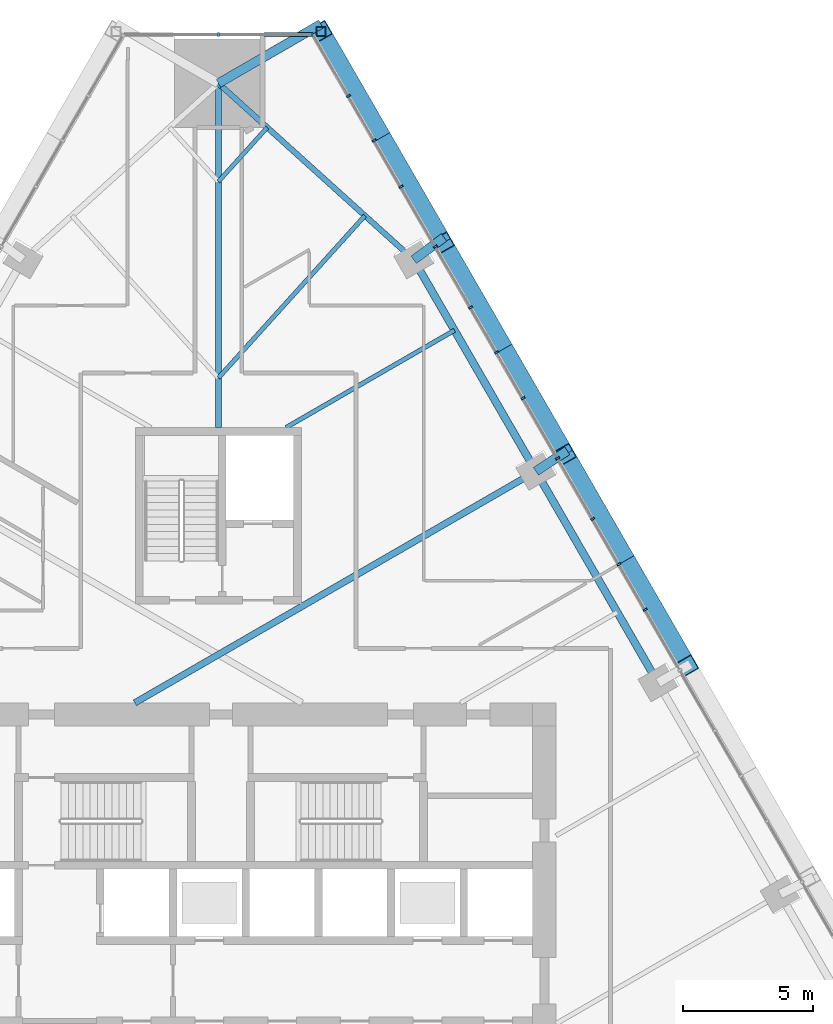
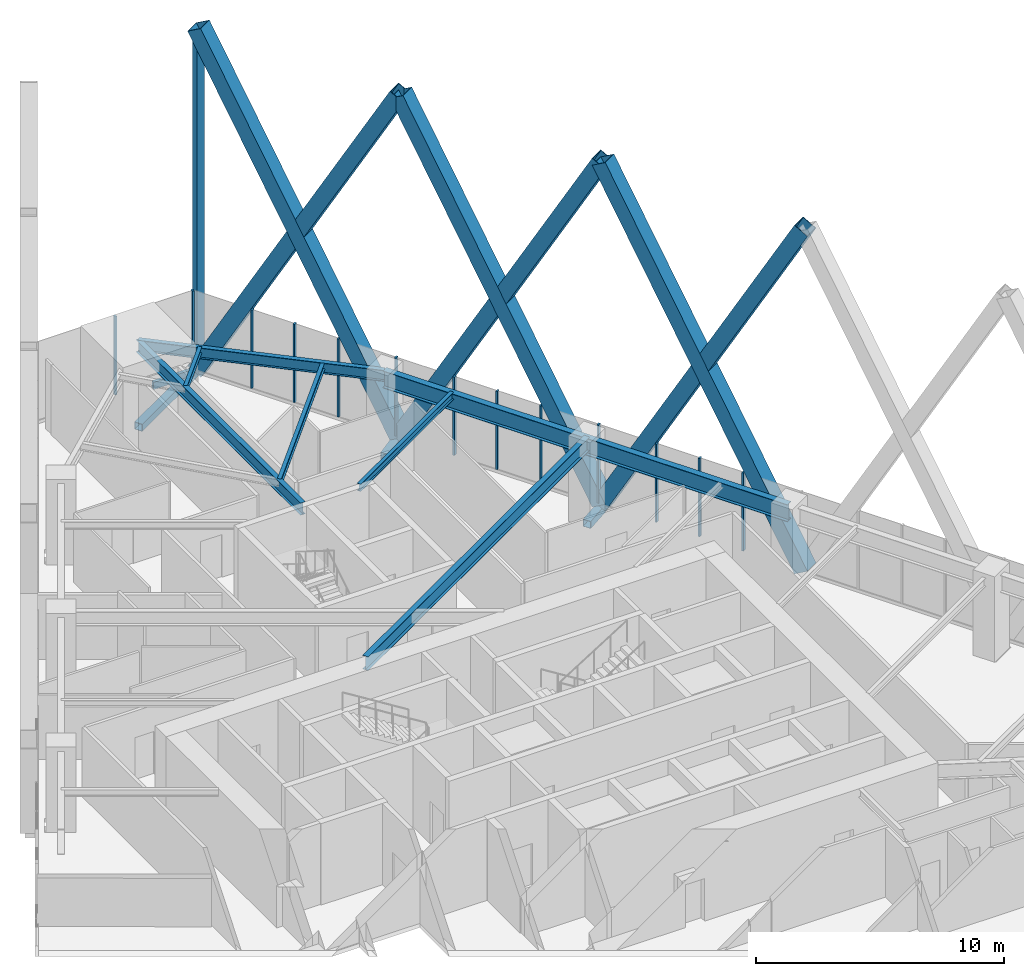
# One storey, part 11 of 21: 24 members, 7 beams, 2 elements without a shape of their own.
"""IFC4 building model written with IfcOpenShell, lengths in metres."""

from ifc_helpers import new_model, si_unit, direction, frame, origin, origin_2d, place, context, subcontext, project, spatial, rectangle, hollow_rectangle, i_section, extrude, material, layer, layer_set, material_profile, profile_set, type_object, element, aggregate, save


model = new_model("IFC4")

# Units and contexts
model_context = context("Model", 3, precision=1e-05, world=origin(), true_north=direction((0.0, 1.0)))
body_context = subcontext(model_context, "Body", "Model", "MODEL_VIEW")
ifc_project = project(units=[si_unit("LENGTHUNIT", "METRE"), si_unit("AREAUNIT", "SQUARE_METRE"), si_unit("VOLUMEUNIT", "CUBIC_METRE"), si_unit("PLANEANGLEUNIT", "RADIAN"), si_unit("MASSUNIT", "GRAM", prefix="KILO")], contexts=[model_context])

# Site, building, storey
site_placement = place(None, origin())
site = spatial("IfcSite", under=ifc_project, at=site_placement, CompositionType="ELEMENT")
building_placement = place(site_placement, origin())
building = spatial("IfcBuilding", under=site, at=building_placement, Name="Firuza Gate Tower and Library", CompositionType="ELEMENT")
storey_placement = place(building_placement, frame((0.0, 0.0, 90.39990234375)))
storey = spatial("IfcBuildingStorey", under=building, at=storey_placement, Name="L20", CompositionType="ELEMENT", Elevation=90.39990234375)

# Members
ifc_material_1 = material(Name="Steel S355", Category="steel")
ifc_material_profile_1 = material_profile(ifc_material_1, hollow_rectangle(XDim=0.699951171875, YDim=0.699951171875, WallThickness=0.030029296875, at=origin_2d()))
ifc_profile_set_1 = profile_set([ifc_material_profile_1], Name="Steel S355")
member_type_1 = type_object("IfcMemberType", Name="BU700x700x30 Lattice brace", PredefinedType="BRACE", material=ifc_profile_set_1)
for number, where, z_axis, x_axis, name in (
    (1, (93.051513671875, 85.422119140625, 0.0), (-0.24420840192, 0.422983459052, 0.872609448608), (-0.866026478318, -0.499998138849, 0.0), "Lattice brace E 4.4R"),
    (2, (88.349853515625, 93.565673828125, 0.0), (0.24420840192, -0.422983459052, 0.872609448608), (0.866026478318, 0.499998138849, 0.0), "Lattice brace E 4.4L"),
    (3, (88.349853515625, 93.565673828125, 0.0), (-0.24420840192, 0.422983459052, 0.872609448608), (-0.866026478318, -0.499998138849, 0.0), "Lattice brace E 4.5R"),
    (4, (83.648193359375, 101.709228515625, 0.0), (0.24420840192, -0.422983459052, 0.872609448608), (0.866026478318, 0.499998138849, 0.0), "Lattice brace E 4.5L"),
    (5, (83.648193359375, 101.709228515625, 0.0), (-0.244220326486, 0.422982149139, 0.872606746273), (-0.866015235904, -0.500017610873, 0.0), "Lattice brace E 4.6R"),
    (6, (78.9462890625, 109.852783203125, 0.0), (0.244220326486, -0.422982149139, 0.872606746273), (0.866015235904, 0.500017610873, 0.0), "Lattice brace E 4.6L"),
):
    element("IfcMember", number, at=place(storey_placement, frame(where, z_axis=z_axis, x_axis=x_axis)), inside=storey, type_object=member_type_1, Name=name, PredefinedType="BRACE", context=body_context, shape_type="SweptSolid", body=[
        extrude(hollow_rectangle(XDim=0.699951171875, YDim=0.699951171875, WallThickness=0.030029296875, at=origin_2d()), origin(), (0.0, 0.0, 1.0), 19.252685546875),
    ])

# Curtain wall, members
ifc_material_2 = material(Name="Aluminium 6063-T6", Category="aluminium")
ifc_layer_1 = layer(ifc_material_2, 0.14990234375)
ifc_layer_set_1 = layer_set([ifc_layer_1], Name="Unitised curtain wall, offices")
curtain_wall_type_1 = type_object("IfcCurtainWallType", Name="Unitised curtain wall, offices", PredefinedType="NOTDEFINED", material=ifc_layer_set_1)
placement = place(storey_placement, origin())
curtain_wall_1 = element("IfcCurtainWall", 7, at=placement, inside=storey, type_object=curtain_wall_type_1, Name="CW1 L20 E face", PredefinedType="NOTDEFINED")
ifc_material_3 = material(Name="Aluminium 6063-T6", Category="aluminium")
ifc_material_profile_2 = material_profile(ifc_material_3, rectangle(XDim=0.14990234375, YDim=0.080078125, at=origin_2d()))
ifc_profile_set_2 = profile_set([ifc_material_profile_2], Name="Aluminium 6063-T6")
member_type_2 = type_object("IfcMemberType", Name="Curtain wall mullion 80x150", PredefinedType="MULLION", material=ifc_profile_set_2)
member_1_placement = place(storey_placement, frame((90.41552734375, 89.337646484375, 0.150146484375), z_axis=(0.0, 0.0, 1.0), x_axis=(-0.866025403784, -0.5, 0.0)))
member_1 = element("IfcMember", 8, at=member_1_placement, type_object=member_type_2, Name="Mullion", PredefinedType="MULLION", context=body_context, shape_type="SweptSolid", body=[
    extrude(rectangle(XDim=0.14990234375, YDim=0.080078125, at=origin_2d()), origin(), (0.0, 0.0, 1.0), 3.849853515625),
])
member_2_placement = place(storey_placement, frame((88.06103515625, 93.41552734375, 0.150146484375), z_axis=(0.0, 0.0, 1.0), x_axis=(-0.866025403784, -0.5, 0.0)))
member_2 = element("IfcMember", 9, at=member_2_placement, type_object=member_type_2, Name="Mullion", PredefinedType="MULLION", context=body_context, shape_type="SweptSolid", body=[
    extrude(rectangle(XDim=0.14990234375, YDim=0.080078125, at=origin_2d()), origin(), (0.0, 0.0, 1.0), 3.849853515625),
])
member_3_placement = place(storey_placement, frame((85.70654296875, 97.49365234375, 0.150146484375), z_axis=(0.0, 0.0, 1.0), x_axis=(-0.866025403784, -0.5, 0.0)))
member_3 = element("IfcMember", 10, at=member_3_placement, type_object=member_type_2, Name="Mullion", PredefinedType="MULLION", context=body_context, shape_type="SweptSolid", body=[
    extrude(rectangle(XDim=0.14990234375, YDim=0.080078125, at=origin_2d()), origin(), (0.0, 0.0, 1.0), 3.849853515625),
])
member_4_placement = place(storey_placement, frame((83.352294921875, 101.571533203125, 0.150146484375), z_axis=(0.0, 0.0, 1.0), x_axis=(-0.866025403784, -0.5, 0.0)))
member_4 = element("IfcMember", 11, at=member_4_placement, type_object=member_type_2, Name="Mullion", PredefinedType="MULLION", context=body_context, shape_type="SweptSolid", body=[
    extrude(rectangle(XDim=0.14990234375, YDim=0.080078125, at=origin_2d()), origin(), (0.0, 0.0, 1.0), 3.849853515625),
])
member_5_placement = place(storey_placement, frame((80.997802734375, 105.649658203125, 0.150146484375), z_axis=(0.0, 0.0, 1.0), x_axis=(-0.866025403784, -0.5, 0.0)))
member_5 = element("IfcMember", 12, at=member_5_placement, type_object=member_type_2, Name="Mullion", PredefinedType="MULLION", context=body_context, shape_type="SweptSolid", body=[
    extrude(rectangle(XDim=0.14990234375, YDim=0.080078125, at=origin_2d()), origin(), (0.0, 0.0, 1.0), 3.849853515625),
])
member_6_placement = place(storey_placement, frame((91.427490234375, 87.584716796875, 0.150146484375), z_axis=(0.0, 0.0, 1.0), x_axis=(-0.866025403784, -0.5, 0.0)))
member_6 = element("IfcMember", 13, at=member_6_placement, type_object=member_type_2, Name="Mullion", PredefinedType="MULLION", context=body_context, shape_type="SweptSolid", body=[
    extrude(rectangle(XDim=0.14990234375, YDim=0.080078125, at=origin_2d()), origin(), (0.0, 0.0, 1.0), 3.849853515625),
])
member_7_placement = place(storey_placement, frame((89.410888671875, 91.077880859375, 0.150146484375), z_axis=(0.0, 0.0, 1.0), x_axis=(-0.866025403784, -0.5, 0.0)))
member_7 = element("IfcMember", 14, at=member_7_placement, type_object=member_type_2, Name="Mullion", PredefinedType="MULLION", context=body_context, shape_type="SweptSolid", body=[
    extrude(rectangle(XDim=0.14990234375, YDim=0.080078125, at=origin_2d()), origin(), (0.0, 0.0, 1.0), 3.849853515625),
])
member_8_placement = place(storey_placement, frame((86.725830078125, 95.728271484375, 0.150146484375), z_axis=(0.0, 0.0, 1.0), x_axis=(-0.866025403784, -0.5, 0.0)))
member_8 = element("IfcMember", 15, at=member_8_placement, type_object=member_type_2, Name="Mullion", PredefinedType="MULLION", context=body_context, shape_type="SweptSolid", body=[
    extrude(rectangle(XDim=0.14990234375, YDim=0.080078125, at=origin_2d()), origin(), (0.0, 0.0, 1.0), 3.849853515625),
])
member_9_placement = place(storey_placement, frame((84.709228515625, 99.221435546875, 0.150146484375), z_axis=(0.0, 0.0, 1.0), x_axis=(-0.866025403784, -0.5, 0.0)))
member_9 = element("IfcMember", 16, at=member_9_placement, type_object=member_type_2, Name="Mullion", PredefinedType="MULLION", context=body_context, shape_type="SweptSolid", body=[
    extrude(rectangle(XDim=0.14990234375, YDim=0.080078125, at=origin_2d()), origin(), (0.0, 0.0, 1.0), 3.849853515625),
])
member_10_placement = place(storey_placement, frame((82.024169921875, 103.871826171875, 0.150146484375), z_axis=(0.0, 0.0, 1.0), x_axis=(-0.866025403784, -0.5, 0.0)))
member_10 = element("IfcMember", 17, at=member_10_placement, type_object=member_type_2, Name="Mullion", PredefinedType="MULLION", context=body_context, shape_type="SweptSolid", body=[
    extrude(rectangle(XDim=0.14990234375, YDim=0.080078125, at=origin_2d()), origin(), (0.0, 0.0, 1.0), 3.849853515625),
])
member_11_placement = place(storey_placement, frame((80.007568359375, 107.364990234375, 0.150146484375), z_axis=(0.0, 0.0, 1.0), x_axis=(-0.866025403784, -0.5, 0.0)))
member_11 = element("IfcMember", 18, at=member_11_placement, type_object=member_type_2, Name="Mullion", PredefinedType="MULLION", context=body_context, shape_type="SweptSolid", body=[
    extrude(rectangle(XDim=0.14990234375, YDim=0.080078125, at=origin_2d()), origin(), (0.0, 0.0, 1.0), 3.849853515625),
])
aggregate(curtain_wall_1, [member_1, member_2, member_3, member_4, member_5, member_6, member_7, member_8, member_9, member_10, member_11])

ifc_material_4 = material(Name="Aluminium 6063-T6", Category="aluminium")
ifc_layer_2 = layer(ifc_material_4, 0.14990234375)
ifc_layer_set_2 = layer_set([ifc_layer_2], Name="Corner curtain wall, chamfers")
curtain_wall_type_2 = type_object("IfcCurtainWallType", Name="Corner curtain wall, chamfers", PredefinedType="NOTDEFINED", material=ifc_layer_set_2)
curtain_wall_2 = element("IfcCurtainWall", 19, at=placement, inside=storey, type_object=curtain_wall_type_2, Name="CW4 L20 N corner", PredefinedType="NOTDEFINED")
member_12_placement = place(storey_placement, frame((78.603271484375, 109.727783203125, 0.150146484375), z_axis=(0.0, 0.0, 1.0), x_axis=(0.0, -1.0, 0.0)))
member_12 = element("IfcMember", 20, at=member_12_placement, type_object=member_type_2, Name="Mullion", PredefinedType="MULLION", context=body_context, shape_type="SweptSolid", body=[
    extrude(rectangle(XDim=0.14990234375, YDim=0.080078125, at=origin_2d()), origin(), (0.0, 0.0, 1.0), 3.849853515625),
])
member_13_placement = place(storey_placement, frame((75.0, 109.727783203125, 0.150146484375), z_axis=(0.0, 0.0, 1.0), x_axis=(0.0, -1.0, 0.0)))
member_13 = element("IfcMember", 21, at=member_13_placement, type_object=member_type_2, Name="Mullion", PredefinedType="MULLION", context=body_context, shape_type="SweptSolid", body=[
    extrude(rectangle(XDim=0.14990234375, YDim=0.080078125, at=origin_2d()), origin(), (0.0, 0.0, 1.0), 3.849853515625),
])
ifc_material_5 = material(Name="Aluminium 6063-T6", Category="aluminium")
ifc_material_profile_3 = material_profile(ifc_material_5, rectangle(XDim=0.14990234375, YDim=0.35009765625, at=origin_2d()))
ifc_profile_set_3 = profile_set([ifc_material_profile_3], Name="Aluminium 6063-T6")
member_type_3 = type_object("IfcMemberType", Name="Curtain wall transom 350x150", PredefinedType="USERDEFINED", material=ifc_profile_set_3)
member_14_placement = place(storey_placement, frame((78.643310546875, 109.727783203125, -0.02490234375), z_axis=(-1.0, 0.0, 0.0), x_axis=(0.0, -1.0, 0.0)))
member_14 = element("IfcMember", 22, at=member_14_placement, type_object=member_type_3, Name="Transom", ObjectType="TRANSOM", PredefinedType="USERDEFINED", context=body_context, shape_type="SweptSolid", body=[
    extrude(rectangle(XDim=0.14990234375, YDim=0.35009765625, at=origin_2d()), origin(), (0.0, 0.0, 1.0), 1.89208984375),
])
aggregate(curtain_wall_2, [member_12, member_13, member_14])

# Members
ifc_material_6 = material(Name="Steel S355", Category="steel")
ifc_material_profile_4 = material_profile(ifc_material_6, hollow_rectangle(XDim=0.355712890625, YDim=0.355712890625, WallThickness=0.014892578125, at=origin_2d()))
ifc_profile_set_4 = profile_set([ifc_material_profile_4], Name="Steel S355")
member_type_4 = type_object("IfcMemberType", Name="HSS356x356x16 Lattice corner stile", PredefinedType="BRACE", material=ifc_profile_set_4)
member_15_placement = place(storey_placement, frame((78.9462890625, 109.852783203125, -0.139892578125), z_axis=(0.0, 0.0, 1.0), x_axis=(1.0, 0.0, 0.0)))
element("IfcMember", 23, at=member_15_placement, inside=storey, type_object=member_type_4, Name="Lattice corner stile E 4.B", PredefinedType="BRACE", context=body_context, shape_type="SweptSolid", body=[
    extrude(hollow_rectangle(XDim=0.355712890625, YDim=0.355712890625, WallThickness=0.014892578125, at=origin_2d()), origin(), (0.0, 0.0, 1.0), 16.43994140625),
])
ifc_material_7 = material(Name="Steel S355", Category="steel")
ifc_material_profile_5 = material_profile(ifc_material_7, hollow_rectangle(XDim=0.355712890625, YDim=0.355712890625, WallThickness=0.014892578125, at=origin_2d()))
ifc_profile_set_5 = profile_set([ifc_material_profile_5], Name="Steel S355")
member_type_5 = type_object("IfcMemberType", Name="HSS356x356x16 Lattice node tie", PredefinedType="BRACE", material=ifc_profile_set_5)
member_16_placement = place(storey_placement, frame((75.0, 107.852783203125, -0.31982421875), z_axis=(0.86552158659, 0.50087162342, 0.0), x_axis=(-0.50087162342, 0.86552158659, 0.0)))
element("IfcMember", 24, at=member_16_placement, inside=storey, type_object=member_type_5, Name="Lattice node tie E L20 64", PredefinedType="BRACE", context=body_context, shape_type="SweptSolid", body=[
    extrude(hollow_rectangle(XDim=0.355712890625, YDim=0.355712890625, WallThickness=0.014892578125, at=origin_2d()), origin(), (0.0, 0.0, 1.0), 4.559326171875),
])
member_17_placement = place(storey_placement, frame((82.522216796875, 101.05908203125, -0.31982421875), z_axis=(0.804039755994, 0.594575538331, 0.0), x_axis=(-0.594575538331, 0.804039755994, 0.0)))
element("IfcMember", 25, at=member_17_placement, inside=storey, type_object=member_type_5, Name="Lattice node tie E L20 65", PredefinedType="BRACE", context=body_context, shape_type="SweptSolid", body=[
    extrude(hollow_rectangle(XDim=0.355712890625, YDim=0.355712890625, WallThickness=0.014892578125, at=origin_2d()), origin(), (0.0, 0.0, 1.0), 1.451171875),
])
member_18_placement = place(storey_placement, frame((87.223876953125, 92.91552734375, -0.31982421875), z_axis=(0.836239284405, 0.548364713687, 0.0), x_axis=(-0.548364713687, 0.836239284405, 0.0)))
element("IfcMember", 26, at=member_18_placement, inside=storey, type_object=member_type_5, Name="Lattice node tie E L20 66", PredefinedType="BRACE", context=body_context, shape_type="SweptSolid", body=[
    extrude(hollow_rectangle(XDim=0.355712890625, YDim=0.355712890625, WallThickness=0.014892578125, at=origin_2d()), origin(), (0.0, 0.0, 1.0), 1.4443359375),
])

# Beams
ifc_material_8 = material(Name="Steel S355", Category="steel")
ifc_material_profile_6 = material_profile(ifc_material_8, i_section(OverallWidth=0.1650390625, OverallDepth=0.31005859375, WebThickness=0.005859375, FlangeThickness=0.009765625, at=origin_2d()))
ifc_profile_set_6 = profile_set([ifc_material_profile_6], Name="Steel S355")
beam_type_1 = type_object("IfcBeamType", Name="W310x39 Floor beam", PredefinedType="JOIST", material=ifc_profile_set_6)
beam_1_placement = place(storey_placement, frame((76.880615234375, 106.154296875, 3.84521484375), z_axis=(-0.670256887626, -0.742129169747, 0.0), x_axis=(0.742129169747, -0.670256887626, 0.0)))
element("IfcBeam", 27, at=beam_1_placement, inside=storey, type_object=beam_type_1, Name="Floor beam L20 s61", PredefinedType="JOIST", context=body_context, shape_type="SweptSolid", body=[
    extrude(i_section(OverallWidth=0.1650390625, OverallDepth=0.31005859375, WebThickness=0.005859375, FlangeThickness=0.009765625, at=origin_2d()), origin(), (0.0, 0.0, 1.0), 2.805908203125),
])
ifc_material_9 = material(Name="Steel S355", Category="steel")
ifc_material_profile_7 = material_profile(ifc_material_9, i_section(OverallWidth=0.1708984375, OverallDepth=0.35498046875, WebThickness=0.007080078125, FlangeThickness=0.01171875, at=origin_2d()))
ifc_profile_set_7 = profile_set([ifc_material_profile_7], Name="Steel S355")
beam_type_2 = type_object("IfcBeamType", Name="W360x51 Floor beam", PredefinedType="JOIST", material=ifc_profile_set_7)
beam_2_placement = place(storey_placement, frame((84.089599609375, 98.3447265625, 3.822509765625), z_axis=(-0.866031961729, -0.499988641134, 0.0), x_axis=(0.499988641134, -0.866031961729, 0.0)))
element("IfcBeam", 28, at=beam_2_placement, inside=storey, type_object=beam_type_2, Name="Floor beam L20 s55", PredefinedType="JOIST", context=body_context, shape_type="SweptSolid", body=[
    extrude(i_section(OverallWidth=0.1708984375, OverallDepth=0.35498046875, WebThickness=0.007080078125, FlangeThickness=0.01171875, at=origin_2d()), origin(), (0.0, 0.0, 1.0), 7.489501953125),
])
beam_3_placement = place(storey_placement, frame((80.6416015625, 102.757568359375, 3.822509765625), z_axis=(-0.67024091296, -0.742143597018, 0.0), x_axis=(0.742143597018, -0.67024091296, 0.0)))
element("IfcBeam", 29, at=beam_3_placement, inside=storey, type_object=beam_type_2, Name="Floor beam L20 s60", PredefinedType="JOIST", context=body_context, shape_type="SweptSolid", body=[
    extrude(i_section(OverallWidth=0.1708984375, OverallDepth=0.35498046875, WebThickness=0.007080078125, FlangeThickness=0.01171875, at=origin_2d()), origin(), (0.0, 0.0, 1.0), 8.417236328125),
])
ifc_material_10 = material(Name="Steel S355", Category="steel")
ifc_material_profile_8 = material_profile(ifc_material_10, i_section(OverallWidth=0.212890625, OverallDepth=0.5390625, WebThickness=0.01171875, FlangeThickness=0.018798828125, at=origin_2d()))
ifc_profile_set_8 = profile_set([ifc_material_profile_8], Name="Steel S355")
beam_type_3 = type_object("IfcBeamType", Name="W530x109 Edge beam", PredefinedType="SPANDREL", material=ifc_profile_set_8)
beam_4_placement = place(storey_placement, frame((82.522216796875, 101.05908203125, 3.730712890625), z_axis=(-0.74213008283, 0.670255876632, 0.0), x_axis=(-0.670255876632, -0.74213008283, 0.0)))
element("IfcBeam", 30, at=beam_4_placement, inside=storey, type_object=beam_type_3, Name="Edge beam L20 e60", PredefinedType="SPANDREL", context=body_context, shape_type="SweptSolid", body=[
    extrude(i_section(OverallWidth=0.212890625, OverallDepth=0.5390625, WebThickness=0.01171875, FlangeThickness=0.018798828125, at=origin_2d()), origin(), (0.0, 0.0, 1.0), 10.135986328125),
])
ifc_material_11 = material(Name="Steel S355", Category="steel")
ifc_material_profile_9 = material_profile(ifc_material_11, i_section(OverallWidth=0.22802734375, OverallDepth=0.60302734375, WebThickness=0.010498046875, FlangeThickness=0.014892578125, at=origin_2d()))
ifc_profile_set_9 = profile_set([ifc_material_profile_9], Name="Steel S355")
beam_type_4 = type_object("IfcBeamType", Name="W610x101 Girder", PredefinedType="BEAM", material=ifc_profile_set_9)
beam_5_placement = place(storey_placement, frame((75.0, 107.852783203125, 3.698486328125), z_axis=(0.0, -1.0, 0.0), x_axis=(1.0, 0.0, 0.0)))
element("IfcBeam", 31, at=beam_5_placement, inside=storey, type_object=beam_type_4, Name="Girder L20 gN", PredefinedType="BEAM", context=body_context, shape_type="SweptSolid", body=[
    extrude(i_section(OverallWidth=0.22802734375, OverallDepth=0.60302734375, WebThickness=0.010498046875, FlangeThickness=0.014892578125, at=origin_2d()), origin(), (0.0, 0.0, 1.0), 13.252685546875),
])
ifc_material_12 = material(Name="Steel S355", Category="steel")
ifc_material_profile_10 = material_profile(ifc_material_12, i_section(OverallWidth=0.2529296875, OverallDepth=0.677978515625, WebThickness=0.01171875, FlangeThickness=0.016357421875, at=origin_2d()))
ifc_profile_set_10 = profile_set([ifc_material_profile_10], Name="Steel S355")
beam_type_5 = type_object("IfcBeamType", Name="W690x125 Floor beam", PredefinedType="JOIST", material=ifc_profile_set_10)
beam_6_placement = place(storey_placement, frame((87.223876953125, 92.91552734375, 3.6611328125), z_axis=(-0.866025296335, -0.500000186108, 0.0), x_axis=(0.500000186108, -0.866025296335, 0.0)))
element("IfcBeam", 32, at=beam_6_placement, inside=storey, type_object=beam_type_5, Name="Floor beam L20 s54", PredefinedType="JOIST", context=body_context, shape_type="SweptSolid", body=[
    extrude(i_section(OverallWidth=0.2529296875, OverallDepth=0.677978515625, WebThickness=0.01171875, FlangeThickness=0.016357421875, at=origin_2d()), origin(), (0.0, 0.0, 1.0), 17.8310546875),
])
ifc_material_13 = material(Name="Steel S355", Category="steel")
ifc_material_profile_11 = material_profile(ifc_material_13, i_section(OverallWidth=0.2919921875, OverallDepth=0.8349609375, WebThickness=0.013916015625, FlangeThickness=0.018798828125, at=origin_2d()))
ifc_profile_set_11 = profile_set([ifc_material_profile_11], Name="Steel S355")
beam_type_6 = type_object("IfcBeamType", Name="W840x176 Edge beam", PredefinedType="SPANDREL", material=ifc_profile_set_11)
beam_7_placement = place(storey_placement, frame((91.925537109375, 84.77197265625, 3.58251953125), z_axis=(-0.499998138849, 0.866026478318, 0.0), x_axis=(-0.866026478318, -0.499998138849, 0.0)))
element("IfcBeam", 33, at=beam_7_placement, inside=storey, type_object=beam_type_6, Name="Edge beam L20 e52", PredefinedType="SPANDREL", context=body_context, shape_type="SweptSolid", body=[
    extrude(i_section(OverallWidth=0.2919921875, OverallDepth=0.8349609375, WebThickness=0.013916015625, FlangeThickness=0.018798828125, at=origin_2d()), origin(), (0.0, 0.0, 1.0), 18.806640625),
])

save(model, "model.ifc")
